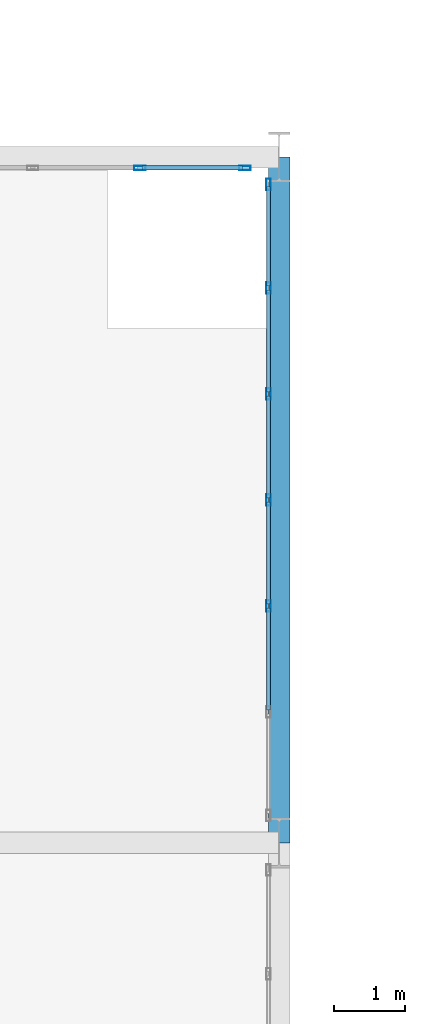
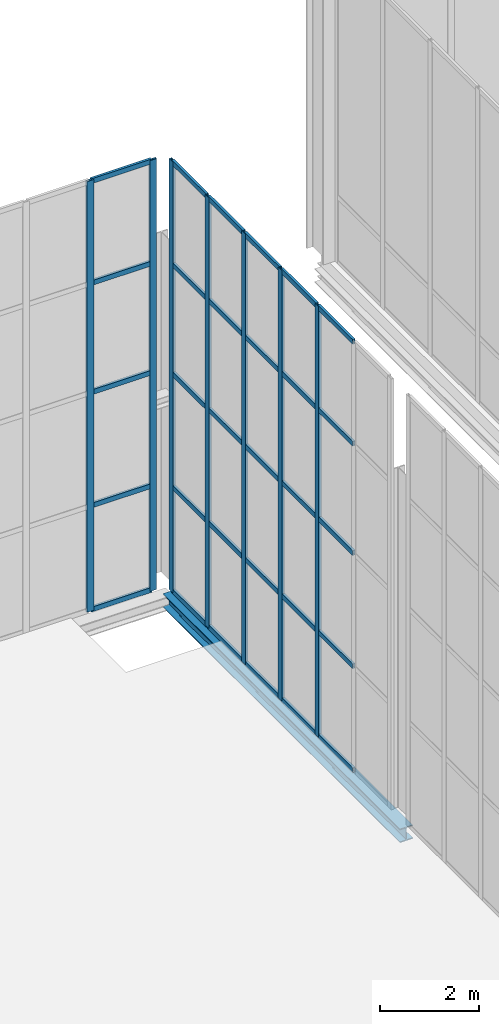
# One storey, part 65 of 131: 37 members, 1 beam, 2 elements without a shape of their own.
"""IFC4 building model written with IfcOpenShell, lengths in metres."""

from ifc_helpers import new_model, si_unit, direction, frame, origin, origin_2d, place, context, subcontext, project, spatial, hollow_rectangle, i_section, extrude, material, material_profile, profile_set, type_object, element, aggregate, save


model = new_model("IFC4")

# Units and contexts
model_context = context("Model", 3, precision=1e-05, world=origin(), true_north=direction((0.0, 1.0)))
body_context = subcontext(model_context, "Body", "Model", "MODEL_VIEW")
ifc_project = project(units=[si_unit("LENGTHUNIT", "METRE"), si_unit("AREAUNIT", "SQUARE_METRE"), si_unit("VOLUMEUNIT", "CUBIC_METRE"), si_unit("PLANEANGLEUNIT", "RADIAN"), si_unit("MASSUNIT", "GRAM", prefix="KILO")], contexts=[model_context])

# Site, building, storey
site_placement = place(None, origin())
site = spatial("IfcSite", under=ifc_project, at=site_placement, CompositionType="ELEMENT")
building_placement = place(site_placement, origin())
building = spatial("IfcBuilding", under=site, at=building_placement, Name="Veltarok Museum of Natural Sciences", CompositionType="ELEMENT")
storey_placement = place(building_placement, origin())
storey = spatial("IfcBuildingStorey", under=building, at=storey_placement, Name="L00", CompositionType="ELEMENT", Elevation=0.0)

# Curtain wall, members
ifc_material_1 = material(Name="Low-iron triple insulated glass", Category="glass")
curtain_wall_type_1 = type_object("IfcCurtainWallType", Name="Curtain Wall System CW-PAS-N01-750x1065 (North Cafe Curtain Wall L00 750x1065cm)", PredefinedType="NOTDEFINED", material=ifc_material_1)
curtain_wall_1_placement = place(storey_placement, origin())
curtain_wall_1 = element("IfcCurtainWall", 1, at=curtain_wall_1_placement, inside=storey, type_object=curtain_wall_type_1, Name="Curtain Wall CW-PAS-N01-750x1065 CW-0020", PredefinedType="NOTDEFINED")
ifc_material_2 = material(Name="Thermally broken anodised aluminium", Category="aluminium")
ifc_material_profile_1 = material_profile(ifc_material_2, hollow_rectangle(XDim=0.06005859375, YDim=0.1201171875, WallThickness=0.0048828125, at=origin_2d()), Name="CW TRANSOM 60x120x5")
ifc_profile_set_1 = profile_set([ifc_material_profile_1], Name="Thermally broken anodised aluminium")
member_type_1 = type_object("IfcMemberType", Name="Curtain Wall Horizontal Transom 60x120x5", PredefinedType="USERDEFINED", material=ifc_profile_set_1)
member_1_placement = place(storey_placement, frame((47.889892578125, 100.64990234375, 0.030029296875), z_axis=(-1.0, 0.0, 0.0), x_axis=(0.0, -1.0, 0.0)))
member_1 = element("IfcMember", 2, at=member_1_placement, type_object=member_type_1, Name="CW-PAS-N01-750x1065 transom 1.1", ObjectType="TRANSOM", PredefinedType="USERDEFINED", context=body_context, shape_type="SweptSolid", body=[
    extrude(hollow_rectangle(XDim=0.06005859375, YDim=0.1201171875, WallThickness=0.0048828125, at=origin_2d()), origin(), (0.0, 0.0, 1.0), 1.409912109375),
])
member_2_placement = place(storey_placement, frame((47.889892578125, 100.64990234375, 2.60009765625), z_axis=(-1.0, 0.0, 0.0), x_axis=(0.0, -1.0, 0.0)))
member_2 = element("IfcMember", 3, at=member_2_placement, type_object=member_type_1, Name="CW-PAS-N01-750x1065 transom 1.2", ObjectType="TRANSOM", PredefinedType="USERDEFINED", context=body_context, shape_type="SweptSolid", body=[
    extrude(hollow_rectangle(XDim=0.06005859375, YDim=0.1201171875, WallThickness=0.0048828125, at=origin_2d()), origin(), (0.0, 0.0, 1.0), 1.409912109375),
])
member_3_placement = place(storey_placement, frame((47.889892578125, 100.64990234375, 5.39990234375), z_axis=(-1.0, 0.0, 0.0), x_axis=(0.0, -1.0, 0.0)))
member_3 = element("IfcMember", 4, at=member_3_placement, type_object=member_type_1, Name="CW-PAS-N01-750x1065 transom 1.3", ObjectType="TRANSOM", PredefinedType="USERDEFINED", context=body_context, shape_type="SweptSolid", body=[
    extrude(hollow_rectangle(XDim=0.06005859375, YDim=0.1201171875, WallThickness=0.0048828125, at=origin_2d()), origin(), (0.0, 0.0, 1.0), 1.409912109375),
])
member_4_placement = place(storey_placement, frame((47.889892578125, 100.64990234375, 8.10009765625), z_axis=(-1.0, 0.0, 0.0), x_axis=(0.0, -1.0, 0.0)))
member_4 = element("IfcMember", 5, at=member_4_placement, type_object=member_type_1, Name="CW-PAS-N01-750x1065 transom 1.4", ObjectType="TRANSOM", PredefinedType="USERDEFINED", context=body_context, shape_type="SweptSolid", body=[
    extrude(hollow_rectangle(XDim=0.06005859375, YDim=0.1201171875, WallThickness=0.0048828125, at=origin_2d()), origin(), (0.0, 0.0, 1.0), 1.409912109375),
])
member_5_placement = place(storey_placement, frame((47.889892578125, 100.64990234375, 10.6201171875), z_axis=(-1.0, 0.0, 0.0), x_axis=(0.0, -1.0, 0.0)))
member_5 = element("IfcMember", 6, at=member_5_placement, type_object=member_type_1, Name="CW-PAS-N01-750x1065 transom 1.5", ObjectType="TRANSOM", PredefinedType="USERDEFINED", context=body_context, shape_type="SweptSolid", body=[
    extrude(hollow_rectangle(XDim=0.06005859375, YDim=0.1201171875, WallThickness=0.0048828125, at=origin_2d()), origin(), (0.0, 0.0, 1.0), 1.409912109375),
])

curtain_wall_type_2 = type_object("IfcCurtainWallType", Name="Curtain Wall System CW-PAS-NE-KL-890x1065 (Sculpture Court East Passage K-L 890x1065cm)", PredefinedType="NOTDEFINED", material=ifc_material_1)
curtain_wall_2_placement = place(storey_placement, origin())
curtain_wall_2 = element("IfcCurtainWall", 7, at=curtain_wall_2_placement, inside=storey, type_object=curtain_wall_type_2, Name="Curtain Wall CW-PAS-NE-KL-890x1065 CW-0048", PredefinedType="NOTDEFINED")
member_6_placement = place(storey_placement, frame((48.25, 93.063232421875, 0.030029296875), z_axis=(0.0, 1.0, 0.0), x_axis=(-1.0, 0.0, 0.0)))
member_6 = element("IfcMember", 8, at=member_6_placement, type_object=member_type_1, Name="CW-PAS-NE-KL-890x1065 transom 2.1", ObjectType="TRANSOM", PredefinedType="USERDEFINED", context=body_context, shape_type="SweptSolid", body=[
    extrude(hollow_rectangle(XDim=0.06005859375, YDim=0.1201171875, WallThickness=0.0048828125, at=origin_2d()), origin(), (0.0, 0.0, 1.0), 1.42333984375),
])
member_7_placement = place(storey_placement, frame((48.25, 93.063232421875, 2.60009765625), z_axis=(0.0, 1.0, 0.0), x_axis=(-1.0, 0.0, 0.0)))
member_7 = element("IfcMember", 9, at=member_7_placement, type_object=member_type_1, Name="CW-PAS-NE-KL-890x1065 transom 2.2", ObjectType="TRANSOM", PredefinedType="USERDEFINED", context=body_context, shape_type="SweptSolid", body=[
    extrude(hollow_rectangle(XDim=0.06005859375, YDim=0.1201171875, WallThickness=0.0048828125, at=origin_2d()), origin(), (0.0, 0.0, 1.0), 1.42333984375),
])
member_8_placement = place(storey_placement, frame((48.25, 93.063232421875, 5.39990234375), z_axis=(0.0, 1.0, 0.0), x_axis=(-1.0, 0.0, 0.0)))
member_8 = element("IfcMember", 10, at=member_8_placement, type_object=member_type_1, Name="CW-PAS-NE-KL-890x1065 transom 2.3", ObjectType="TRANSOM", PredefinedType="USERDEFINED", context=body_context, shape_type="SweptSolid", body=[
    extrude(hollow_rectangle(XDim=0.06005859375, YDim=0.1201171875, WallThickness=0.0048828125, at=origin_2d()), origin(), (0.0, 0.0, 1.0), 1.42333984375),
])
member_9_placement = place(storey_placement, frame((48.25, 93.063232421875, 8.10009765625), z_axis=(0.0, 1.0, 0.0), x_axis=(-1.0, 0.0, 0.0)))
member_9 = element("IfcMember", 11, at=member_9_placement, type_object=member_type_1, Name="CW-PAS-NE-KL-890x1065 transom 2.4", ObjectType="TRANSOM", PredefinedType="USERDEFINED", context=body_context, shape_type="SweptSolid", body=[
    extrude(hollow_rectangle(XDim=0.06005859375, YDim=0.1201171875, WallThickness=0.0048828125, at=origin_2d()), origin(), (0.0, 0.0, 1.0), 1.42333984375),
])
member_10_placement = place(storey_placement, frame((48.25, 93.063232421875, 10.6201171875), z_axis=(0.0, 1.0, 0.0), x_axis=(-1.0, 0.0, 0.0)))
member_10 = element("IfcMember", 12, at=member_10_placement, type_object=member_type_1, Name="CW-PAS-NE-KL-890x1065 transom 2.5", ObjectType="TRANSOM", PredefinedType="USERDEFINED", context=body_context, shape_type="SweptSolid", body=[
    extrude(hollow_rectangle(XDim=0.06005859375, YDim=0.1201171875, WallThickness=0.0048828125, at=origin_2d()), origin(), (0.0, 0.0, 1.0), 1.42333984375),
])
member_11_placement = place(storey_placement, frame((48.25, 94.546630859375, 0.030029296875), z_axis=(0.0, 1.0, 0.0), x_axis=(-1.0, 0.0, 0.0)))
member_11 = element("IfcMember", 13, at=member_11_placement, type_object=member_type_1, Name="CW-PAS-NE-KL-890x1065 transom 3.1", ObjectType="TRANSOM", PredefinedType="USERDEFINED", context=body_context, shape_type="SweptSolid", body=[
    extrude(hollow_rectangle(XDim=0.06005859375, YDim=0.1201171875, WallThickness=0.0048828125, at=origin_2d()), origin(), (0.0, 0.0, 1.0), 1.42333984375),
])
member_12_placement = place(storey_placement, frame((48.25, 94.546630859375, 2.60009765625), z_axis=(0.0, 1.0, 0.0), x_axis=(-1.0, 0.0, 0.0)))
member_12 = element("IfcMember", 14, at=member_12_placement, type_object=member_type_1, Name="CW-PAS-NE-KL-890x1065 transom 3.2", ObjectType="TRANSOM", PredefinedType="USERDEFINED", context=body_context, shape_type="SweptSolid", body=[
    extrude(hollow_rectangle(XDim=0.06005859375, YDim=0.1201171875, WallThickness=0.0048828125, at=origin_2d()), origin(), (0.0, 0.0, 1.0), 1.42333984375),
])
member_13_placement = place(storey_placement, frame((48.25, 94.546630859375, 5.39990234375), z_axis=(0.0, 1.0, 0.0), x_axis=(-1.0, 0.0, 0.0)))
member_13 = element("IfcMember", 15, at=member_13_placement, type_object=member_type_1, Name="CW-PAS-NE-KL-890x1065 transom 3.3", ObjectType="TRANSOM", PredefinedType="USERDEFINED", context=body_context, shape_type="SweptSolid", body=[
    extrude(hollow_rectangle(XDim=0.06005859375, YDim=0.1201171875, WallThickness=0.0048828125, at=origin_2d()), origin(), (0.0, 0.0, 1.0), 1.42333984375),
])
member_14_placement = place(storey_placement, frame((48.25, 94.546630859375, 8.10009765625), z_axis=(0.0, 1.0, 0.0), x_axis=(-1.0, 0.0, 0.0)))
member_14 = element("IfcMember", 16, at=member_14_placement, type_object=member_type_1, Name="CW-PAS-NE-KL-890x1065 transom 3.4", ObjectType="TRANSOM", PredefinedType="USERDEFINED", context=body_context, shape_type="SweptSolid", body=[
    extrude(hollow_rectangle(XDim=0.06005859375, YDim=0.1201171875, WallThickness=0.0048828125, at=origin_2d()), origin(), (0.0, 0.0, 1.0), 1.42333984375),
])
member_15_placement = place(storey_placement, frame((48.25, 94.546630859375, 10.6201171875), z_axis=(0.0, 1.0, 0.0), x_axis=(-1.0, 0.0, 0.0)))
member_15 = element("IfcMember", 17, at=member_15_placement, type_object=member_type_1, Name="CW-PAS-NE-KL-890x1065 transom 3.5", ObjectType="TRANSOM", PredefinedType="USERDEFINED", context=body_context, shape_type="SweptSolid", body=[
    extrude(hollow_rectangle(XDim=0.06005859375, YDim=0.1201171875, WallThickness=0.0048828125, at=origin_2d()), origin(), (0.0, 0.0, 1.0), 1.42333984375),
])
member_16_placement = place(storey_placement, frame((48.25, 96.030029296875, 0.030029296875), z_axis=(0.0, 1.0, 0.0), x_axis=(-1.0, 0.0, 0.0)))
member_16 = element("IfcMember", 18, at=member_16_placement, type_object=member_type_1, Name="CW-PAS-NE-KL-890x1065 transom 4.1", ObjectType="TRANSOM", PredefinedType="USERDEFINED", context=body_context, shape_type="SweptSolid", body=[
    extrude(hollow_rectangle(XDim=0.06005859375, YDim=0.1201171875, WallThickness=0.0048828125, at=origin_2d()), origin(), (0.0, 0.0, 1.0), 1.42333984375),
])
member_17_placement = place(storey_placement, frame((48.25, 96.030029296875, 2.60009765625), z_axis=(0.0, 1.0, 0.0), x_axis=(-1.0, 0.0, 0.0)))
member_17 = element("IfcMember", 19, at=member_17_placement, type_object=member_type_1, Name="CW-PAS-NE-KL-890x1065 transom 4.2", ObjectType="TRANSOM", PredefinedType="USERDEFINED", context=body_context, shape_type="SweptSolid", body=[
    extrude(hollow_rectangle(XDim=0.06005859375, YDim=0.1201171875, WallThickness=0.0048828125, at=origin_2d()), origin(), (0.0, 0.0, 1.0), 1.42333984375),
])
member_18_placement = place(storey_placement, frame((48.25, 96.030029296875, 5.39990234375), z_axis=(0.0, 1.0, 0.0), x_axis=(-1.0, 0.0, 0.0)))
member_18 = element("IfcMember", 20, at=member_18_placement, type_object=member_type_1, Name="CW-PAS-NE-KL-890x1065 transom 4.3", ObjectType="TRANSOM", PredefinedType="USERDEFINED", context=body_context, shape_type="SweptSolid", body=[
    extrude(hollow_rectangle(XDim=0.06005859375, YDim=0.1201171875, WallThickness=0.0048828125, at=origin_2d()), origin(), (0.0, 0.0, 1.0), 1.42333984375),
])
member_19_placement = place(storey_placement, frame((48.25, 96.030029296875, 8.10009765625), z_axis=(0.0, 1.0, 0.0), x_axis=(-1.0, 0.0, 0.0)))
member_19 = element("IfcMember", 21, at=member_19_placement, type_object=member_type_1, Name="CW-PAS-NE-KL-890x1065 transom 4.4", ObjectType="TRANSOM", PredefinedType="USERDEFINED", context=body_context, shape_type="SweptSolid", body=[
    extrude(hollow_rectangle(XDim=0.06005859375, YDim=0.1201171875, WallThickness=0.0048828125, at=origin_2d()), origin(), (0.0, 0.0, 1.0), 1.42333984375),
])
member_20_placement = place(storey_placement, frame((48.25, 96.030029296875, 10.6201171875), z_axis=(0.0, 1.0, 0.0), x_axis=(-1.0, 0.0, 0.0)))
member_20 = element("IfcMember", 22, at=member_20_placement, type_object=member_type_1, Name="CW-PAS-NE-KL-890x1065 transom 4.5", ObjectType="TRANSOM", PredefinedType="USERDEFINED", context=body_context, shape_type="SweptSolid", body=[
    extrude(hollow_rectangle(XDim=0.06005859375, YDim=0.1201171875, WallThickness=0.0048828125, at=origin_2d()), origin(), (0.0, 0.0, 1.0), 1.42333984375),
])
member_21_placement = place(storey_placement, frame((48.25, 97.513427734375, 0.030029296875), z_axis=(0.0, 1.0, 0.0), x_axis=(-1.0, 0.0, 0.0)))
member_21 = element("IfcMember", 23, at=member_21_placement, type_object=member_type_1, Name="CW-PAS-NE-KL-890x1065 transom 5.1", ObjectType="TRANSOM", PredefinedType="USERDEFINED", context=body_context, shape_type="SweptSolid", body=[
    extrude(hollow_rectangle(XDim=0.06005859375, YDim=0.1201171875, WallThickness=0.0048828125, at=origin_2d()), origin(), (0.0, 0.0, 1.0), 1.42333984375),
])
member_22_placement = place(storey_placement, frame((48.25, 97.513427734375, 2.60009765625), z_axis=(0.0, 1.0, 0.0), x_axis=(-1.0, 0.0, 0.0)))
member_22 = element("IfcMember", 24, at=member_22_placement, type_object=member_type_1, Name="CW-PAS-NE-KL-890x1065 transom 5.2", ObjectType="TRANSOM", PredefinedType="USERDEFINED", context=body_context, shape_type="SweptSolid", body=[
    extrude(hollow_rectangle(XDim=0.06005859375, YDim=0.1201171875, WallThickness=0.0048828125, at=origin_2d()), origin(), (0.0, 0.0, 1.0), 1.42333984375),
])
member_23_placement = place(storey_placement, frame((48.25, 97.513427734375, 5.39990234375), z_axis=(0.0, 1.0, 0.0), x_axis=(-1.0, 0.0, 0.0)))
member_23 = element("IfcMember", 25, at=member_23_placement, type_object=member_type_1, Name="CW-PAS-NE-KL-890x1065 transom 5.3", ObjectType="TRANSOM", PredefinedType="USERDEFINED", context=body_context, shape_type="SweptSolid", body=[
    extrude(hollow_rectangle(XDim=0.06005859375, YDim=0.1201171875, WallThickness=0.0048828125, at=origin_2d()), origin(), (0.0, 0.0, 1.0), 1.42333984375),
])
member_24_placement = place(storey_placement, frame((48.25, 97.513427734375, 8.10009765625), z_axis=(0.0, 1.0, 0.0), x_axis=(-1.0, 0.0, 0.0)))
member_24 = element("IfcMember", 26, at=member_24_placement, type_object=member_type_1, Name="CW-PAS-NE-KL-890x1065 transom 5.4", ObjectType="TRANSOM", PredefinedType="USERDEFINED", context=body_context, shape_type="SweptSolid", body=[
    extrude(hollow_rectangle(XDim=0.06005859375, YDim=0.1201171875, WallThickness=0.0048828125, at=origin_2d()), origin(), (0.0, 0.0, 1.0), 1.42333984375),
])
member_25_placement = place(storey_placement, frame((48.25, 97.513427734375, 10.6201171875), z_axis=(0.0, 1.0, 0.0), x_axis=(-1.0, 0.0, 0.0)))
member_25 = element("IfcMember", 27, at=member_25_placement, type_object=member_type_1, Name="CW-PAS-NE-KL-890x1065 transom 5.5", ObjectType="TRANSOM", PredefinedType="USERDEFINED", context=body_context, shape_type="SweptSolid", body=[
    extrude(hollow_rectangle(XDim=0.06005859375, YDim=0.1201171875, WallThickness=0.0048828125, at=origin_2d()), origin(), (0.0, 0.0, 1.0), 1.42333984375),
])
member_26_placement = place(storey_placement, frame((48.25, 98.99658203125, 0.030029296875), z_axis=(0.0, 1.0, 0.0), x_axis=(-1.0, 0.0, 0.0)))
member_26 = element("IfcMember", 28, at=member_26_placement, type_object=member_type_1, Name="CW-PAS-NE-KL-890x1065 transom 6.1", ObjectType="TRANSOM", PredefinedType="USERDEFINED", context=body_context, shape_type="SweptSolid", body=[
    extrude(hollow_rectangle(XDim=0.06005859375, YDim=0.1201171875, WallThickness=0.0048828125, at=origin_2d()), origin(), (0.0, 0.0, 1.0), 1.393310546875),
])
member_27_placement = place(storey_placement, frame((48.25, 98.99658203125, 2.60009765625), z_axis=(0.0, 1.0, 0.0), x_axis=(-1.0, 0.0, 0.0)))
member_27 = element("IfcMember", 29, at=member_27_placement, type_object=member_type_1, Name="CW-PAS-NE-KL-890x1065 transom 6.2", ObjectType="TRANSOM", PredefinedType="USERDEFINED", context=body_context, shape_type="SweptSolid", body=[
    extrude(hollow_rectangle(XDim=0.06005859375, YDim=0.1201171875, WallThickness=0.0048828125, at=origin_2d()), origin(), (0.0, 0.0, 1.0), 1.393310546875),
])
member_28_placement = place(storey_placement, frame((48.25, 98.99658203125, 5.39990234375), z_axis=(0.0, 1.0, 0.0), x_axis=(-1.0, 0.0, 0.0)))
member_28 = element("IfcMember", 30, at=member_28_placement, type_object=member_type_1, Name="CW-PAS-NE-KL-890x1065 transom 6.3", ObjectType="TRANSOM", PredefinedType="USERDEFINED", context=body_context, shape_type="SweptSolid", body=[
    extrude(hollow_rectangle(XDim=0.06005859375, YDim=0.1201171875, WallThickness=0.0048828125, at=origin_2d()), origin(), (0.0, 0.0, 1.0), 1.393310546875),
])
member_29_placement = place(storey_placement, frame((48.25, 98.99658203125, 8.10009765625), z_axis=(0.0, 1.0, 0.0), x_axis=(-1.0, 0.0, 0.0)))
member_29 = element("IfcMember", 31, at=member_29_placement, type_object=member_type_1, Name="CW-PAS-NE-KL-890x1065 transom 6.4", ObjectType="TRANSOM", PredefinedType="USERDEFINED", context=body_context, shape_type="SweptSolid", body=[
    extrude(hollow_rectangle(XDim=0.06005859375, YDim=0.1201171875, WallThickness=0.0048828125, at=origin_2d()), origin(), (0.0, 0.0, 1.0), 1.393310546875),
])
member_30_placement = place(storey_placement, frame((48.25, 98.99658203125, 10.6201171875), z_axis=(0.0, 1.0, 0.0), x_axis=(-1.0, 0.0, 0.0)))
member_30 = element("IfcMember", 32, at=member_30_placement, type_object=member_type_1, Name="CW-PAS-NE-KL-890x1065 transom 6.5", ObjectType="TRANSOM", PredefinedType="USERDEFINED", context=body_context, shape_type="SweptSolid", body=[
    extrude(hollow_rectangle(XDim=0.06005859375, YDim=0.1201171875, WallThickness=0.0048828125, at=origin_2d()), origin(), (0.0, 0.0, 1.0), 1.393310546875),
])

# Member
ifc_material_profile_2 = material_profile(ifc_material_2, hollow_rectangle(XDim=0.06005859375, YDim=0.159912109375, WallThickness=0.0048828125, at=origin_2d()), Name="CW MULLION 60x160x5")
ifc_profile_set_2 = profile_set([ifc_material_profile_2], Name="Thermally broken anodised aluminium")
member_type_2 = type_object("IfcMemberType", Name="Curtain Wall Vertical Mullion 60x160x5", PredefinedType="MULLION", material=ifc_profile_set_2)
member_31_placement = place(storey_placement, frame((47.919921875, 100.64990234375, 0.0), z_axis=(0.0, 0.0, 1.0), x_axis=(0.0, -1.0, 0.0)))
member_31 = element("IfcMember", 33, at=member_31_placement, type_object=member_type_2, Name="CW-PAS-N01-750x1065 mullion 1", PredefinedType="MULLION", context=body_context, shape_type="SweptSolid", body=[
    extrude(hollow_rectangle(XDim=0.06005859375, YDim=0.159912109375, WallThickness=0.0048828125, at=origin_2d()), origin(), (0.0, 0.0, 1.0), 10.64990234375),
])

member_32_placement = place(storey_placement, frame((46.449951171875, 100.64990234375, 0.0), z_axis=(0.0, 0.0, 1.0), x_axis=(0.0, -1.0, 0.0)))
member_32 = element("IfcMember", 34, at=member_32_placement, type_object=member_type_2, Name="CW-PAS-N01-750x1065 mullion 2", PredefinedType="MULLION", context=body_context, shape_type="SweptSolid", body=[
    extrude(hollow_rectangle(XDim=0.06005859375, YDim=0.159912109375, WallThickness=0.0048828125, at=origin_2d()), origin(), (0.0, 0.0, 1.0), 10.64990234375),
])

aggregate(curtain_wall_1, [member_31, member_32, member_1, member_2, member_3, member_4, member_5])

member_33_placement = place(storey_placement, frame((48.25, 94.5166015625, 0.0), z_axis=(0.0, 0.0, 1.0), x_axis=(-1.0, 0.0, 0.0)))
member_33 = element("IfcMember", 35, at=member_33_placement, type_object=member_type_2, Name="CW-PAS-NE-KL-890x1065 mullion 3", PredefinedType="MULLION", context=body_context, shape_type="SweptSolid", body=[
    extrude(hollow_rectangle(XDim=0.06005859375, YDim=0.159912109375, WallThickness=0.0048828125, at=origin_2d()), origin(), (0.0, 0.0, 1.0), 10.64990234375),
])

member_34_placement = place(storey_placement, frame((48.25, 96.0, 0.0), z_axis=(0.0, 0.0, 1.0), x_axis=(-1.0, 0.0, 0.0)))
member_34 = element("IfcMember", 36, at=member_34_placement, type_object=member_type_2, Name="CW-PAS-NE-KL-890x1065 mullion 4", PredefinedType="MULLION", context=body_context, shape_type="SweptSolid", body=[
    extrude(hollow_rectangle(XDim=0.06005859375, YDim=0.159912109375, WallThickness=0.0048828125, at=origin_2d()), origin(), (0.0, 0.0, 1.0), 10.64990234375),
])

member_35_placement = place(storey_placement, frame((48.25, 97.4833984375, 0.0), z_axis=(0.0, 0.0, 1.0), x_axis=(-1.0, 0.0, 0.0)))
member_35 = element("IfcMember", 37, at=member_35_placement, type_object=member_type_2, Name="CW-PAS-NE-KL-890x1065 mullion 5", PredefinedType="MULLION", context=body_context, shape_type="SweptSolid", body=[
    extrude(hollow_rectangle(XDim=0.06005859375, YDim=0.159912109375, WallThickness=0.0048828125, at=origin_2d()), origin(), (0.0, 0.0, 1.0), 10.64990234375),
])

member_36_placement = place(storey_placement, frame((48.25, 98.966552734375, 0.0), z_axis=(0.0, 0.0, 1.0), x_axis=(-1.0, 0.0, 0.0)))
member_36 = element("IfcMember", 38, at=member_36_placement, type_object=member_type_2, Name="CW-PAS-NE-KL-890x1065 mullion 6", PredefinedType="MULLION", context=body_context, shape_type="SweptSolid", body=[
    extrude(hollow_rectangle(XDim=0.06005859375, YDim=0.159912109375, WallThickness=0.0048828125, at=origin_2d()), origin(), (0.0, 0.0, 1.0), 10.64990234375),
])

member_37_placement = place(storey_placement, frame((48.25, 100.419921875, 0.0), z_axis=(0.0, 0.0, 1.0), x_axis=(-1.0, 0.0, 0.0)))
member_37 = element("IfcMember", 39, at=member_37_placement, type_object=member_type_2, Name="CW-PAS-NE-KL-890x1065 mullion 7", PredefinedType="MULLION", context=body_context, shape_type="SweptSolid", body=[
    extrude(hollow_rectangle(XDim=0.06005859375, YDim=0.159912109375, WallThickness=0.0048828125, at=origin_2d()), origin(), (0.0, 0.0, 1.0), 10.64990234375),
])

aggregate(curtain_wall_2, [member_33, member_34, member_35, member_36, member_37, member_6, member_7, member_8, member_9, member_10, member_11, member_12, member_13, member_14, member_15, member_16, member_17, member_18, member_19, member_20, member_21, member_22, member_23, member_24, member_25, member_26, member_27, member_28, member_29, member_30])

# Beam
ifc_material_3 = material(Name="Steel S355J2", Category="steel")
ifc_material_profile_3 = material_profile(ifc_material_3, i_section(OverallWidth=0.300048828125, OverallDepth=0.340087890625, WebThickness=0.011962890625, FlangeThickness=0.021484375, FilletRadius=0.027099609375, at=origin_2d()), Name="HEB 340")
ifc_profile_set_3 = profile_set([ifc_material_profile_3], Name="Steel S355J2")
beam_type = type_object("IfcBeamType", Name="Perimeter Bridge Spandrel HEB 340", PredefinedType="SPANDREL", material=ifc_profile_set_3)
beam_placement = place(storey_placement, frame((48.39990234375, 91.199951171875, -0.469970703125), z_axis=(0.0, 1.0, 0.0), x_axis=(-1.0, 0.0, 0.0)))
element("IfcBeam", 40, at=beam_placement, inside=storey, type_object=beam_type, Name="Beam BM-SP07 L00 6/K-L", PredefinedType="SPANDREL", context=body_context, shape_type="SweptSolid", body=[
    extrude(i_section(OverallWidth=0.300048828125, OverallDepth=0.340087890625, WebThickness=0.011962890625, FlangeThickness=0.021484375, FilletRadius=0.027099609375, at=origin_2d()), origin(), (0.0, 0.0, 1.0), 9.60009765625),
])

save(model, "model.ifc")
